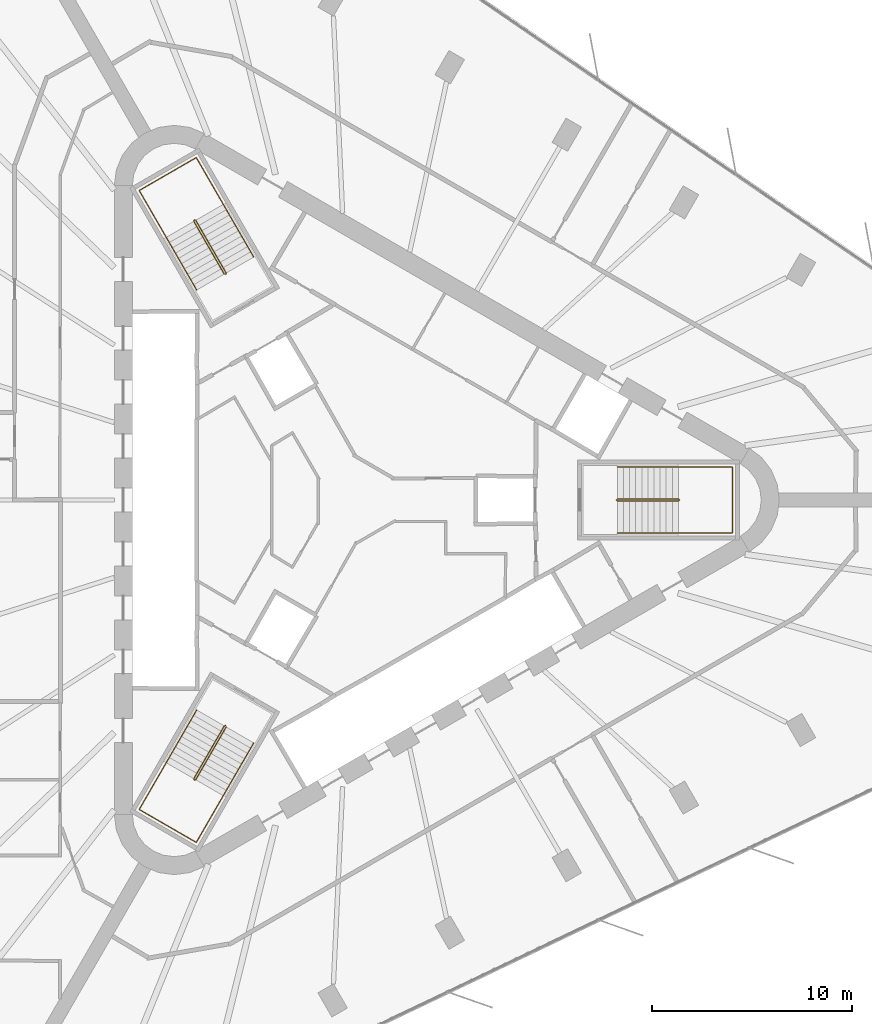
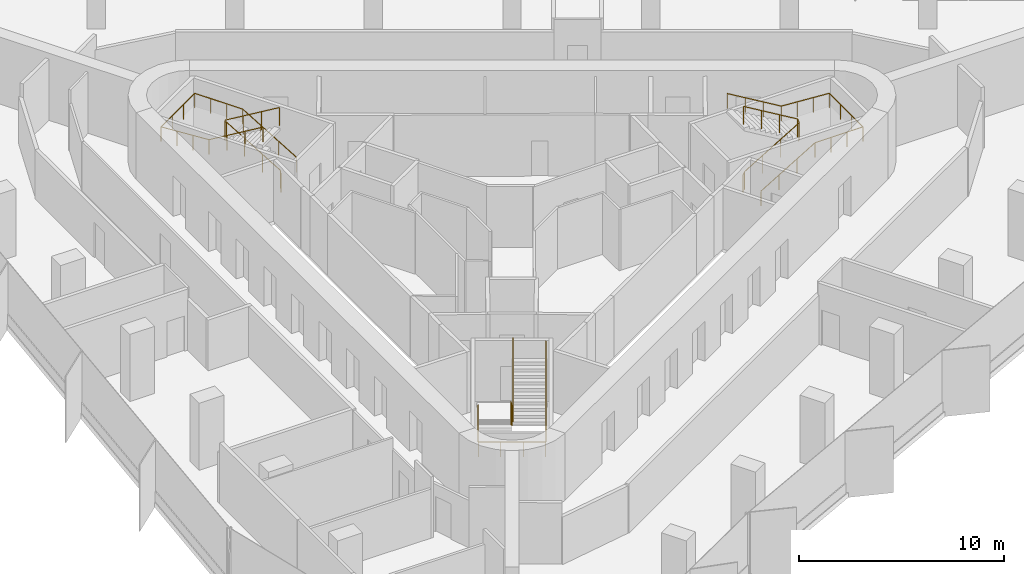
# One storey, part 13 of 13: 6 railings.
"""IFC4 building model written with IfcOpenShell, lengths in metres."""

from ifc_helpers import new_model, si_unit, direction, frame, origin, origin_2d, place, context, subcontext, project, spatial, circle, extrude, material, type_object, element, save


model = new_model("IFC4")

# Units and contexts
model_context = context("Model", 3, precision=1e-05, world=origin(), true_north=direction((0.0, 1.0)))
body_context = subcontext(model_context, "Body", "Model", "MODEL_VIEW")
ifc_project = project(units=[si_unit("LENGTHUNIT", "METRE"), si_unit("AREAUNIT", "SQUARE_METRE"), si_unit("VOLUMEUNIT", "CUBIC_METRE"), si_unit("PLANEANGLEUNIT", "RADIAN"), si_unit("MASSUNIT", "GRAM", prefix="KILO")], contexts=[model_context])

# Site, building, storey
site_placement = place(None, origin())
site = spatial("IfcSite", under=ifc_project, at=site_placement, CompositionType="ELEMENT")
building_placement = place(site_placement, origin())
building = spatial("IfcBuilding", under=site, at=building_placement, Name="Tanit Gate Tower", CompositionType="ELEMENT")
storey_placement = place(building_placement, frame((0.0, 0.0, 273.199951171875)))
storey = spatial("IfcBuildingStorey", under=building, at=storey_placement, Name="L62", CompositionType="ELEMENT", Elevation=273.199951171875)

# Railings
ifc_material_1 = material(Name="Stainless steel balustrade", Category="steel")
railing_type_1 = type_object("IfcRailingType", Name="INT-STAIR-GUARD", PredefinedType="GUARDRAIL", material=ifc_material_1)
railing_1_placement = place(storey_placement, frame((13.044921875, 0.0048828125, 0.0)))
element("IfcRailing", 1, at=railing_1_placement, inside=storey, type_object=railing_type_1, Name="L62 S1 stair guard 1", PredefinedType="GUARDRAIL", context=body_context, shape_type="SweptSolid", body=[
    extrude(circle(Radius=0.02392578125, at=origin_2d()), frame((0.0, 0.0, 1.076171875), z_axis=(0.0, -1.0, 0.0), x_axis=(1.0, 0.0, 0.0)), (0.0, 0.0, 1.0), 0.009765625),
    extrude(circle(Radius=0.02392578125, at=origin_2d()), frame((0.0, -0.009765625, 1.076171875), z_axis=(0.256435381639, -0.256435381639, 0.931923704005), x_axis=(0.707106781187, 0.707106781187, 0.0)), (0.0, 0.0, 1.0), 0.195068359375),
    extrude(circle(Radius=0.02392578125, at=origin_2d()), frame((0.050048828125, -0.059814453125, 1.2578125), z_axis=(0.859041732319, 0.0, 0.511905559781), x_axis=(0.0, 1.0, 0.0)), (0.0, 0.0, 1.0), 3.5517578125),
    extrude(circle(Radius=0.02392578125, at=origin_2d()), frame((3.10107421875, -0.059814453125, 3.076171875), z_axis=(0.707106781187, 0.707106781187, 0.0), x_axis=(-0.707106781187, 0.707106781187, 0.0)), (0.0, 0.0, 1.0), 0.07080078125),
    extrude(circle(Radius=0.02392578125, at=origin_2d()), frame((3.151123046875, -0.009765625, 3.076171875), z_axis=(0.0, 1.0, 0.0), x_axis=(-1.0, 0.0, 0.0)), (0.0, 0.0, 1.0), 0.009765625),
    extrude(circle(Radius=0.02392578125, at=origin_2d()), frame((3.151123046875, 0.0, 3.076171875), z_axis=(-0.256435381639, 0.256435381639, 0.931923704005), x_axis=(-0.707106781187, -0.707106781187, 0.0)), (0.0, 0.0, 1.0), 0.195068359375),
    extrude(circle(Radius=0.02392578125, at=origin_2d()), frame((3.10107421875, 0.050048828125, 3.2578125), z_axis=(-0.859041732319, 0.0, 0.511905559781), x_axis=(0.0, -1.0, 0.0)), (0.0, 0.0, 1.0), 3.5517578125),
    extrude(circle(Radius=0.02099609375, at=origin_2d()), origin(), (0.0, 0.0, 1.0), 1.052001953125),
    extrude(circle(Radius=0.02099609375, at=origin_2d()), frame((0.0, -0.009765625, 0.0)), (0.0, 0.0, 1.0), 1.052001953125),
    extrude(circle(Radius=0.02099609375, at=origin_2d()), frame((0.050048828125, -0.059814453125, 0.181884765625)), (0.0, 0.0, 1.0), 1.052001953125),
    extrude(circle(Radius=0.02099609375, at=origin_2d()), frame((1.067138671875, -0.059814453125, 0.787841796875)), (0.0, 0.0, 1.0), 1.052001953125),
    extrude(circle(Radius=0.02099609375, at=origin_2d()), frame((2.083984375, -0.059814453125, 1.39404296875)), (0.0, 0.0, 1.0), 1.052001953125),
    extrude(circle(Radius=0.02099609375, at=origin_2d()), frame((3.10107421875, -0.059814453125, 2.0)), (0.0, 0.0, 1.0), 1.052001953125),
    extrude(circle(Radius=0.02099609375, at=origin_2d()), frame((3.151123046875, -0.009765625, 2.0)), (0.0, 0.0, 1.0), 1.052001953125),
    extrude(circle(Radius=0.02099609375, at=origin_2d()), frame((3.151123046875, 0.0, 2.0)), (0.0, 0.0, 1.0), 1.052001953125),
    extrude(circle(Radius=0.02099609375, at=origin_2d()), frame((3.10107421875, 0.050048828125, 2.181884765625)), (0.0, 0.0, 1.0), 1.052001953125),
    extrude(circle(Radius=0.02099609375, at=origin_2d()), frame((2.083984375, 0.050048828125, 2.787841796875)), (0.0, 0.0, 1.0), 1.052001953125),
    extrude(circle(Radius=0.02099609375, at=origin_2d()), frame((1.067138671875, 0.050048828125, 3.39404296875)), (0.0, 0.0, 1.0), 1.052001953125),
    extrude(circle(Radius=0.02099609375, at=origin_2d()), frame((0.050048828125, 0.050048828125, 4.0)), (0.0, 0.0, 1.0), 1.052001953125),
])
railing_2_placement = place(storey_placement, frame((-6.527099609375, 11.29345703125, 0.0)))
element("IfcRailing", 2, at=railing_2_placement, inside=storey, type_object=railing_type_1, Name="L62 S2 stair guard 1", PredefinedType="GUARDRAIL", context=body_context, shape_type="SweptSolid", body=[
    extrude(circle(Radius=0.02392578125, at=origin_2d()), frame((0.0, 0.0, 1.076171875), z_axis=(0.868243142124, 0.496138938357, 0.0), x_axis=(-0.496138938357, 0.868243142124, 0.0)), (0.0, 0.0, 1.0), 0.01171875),
    extrude(circle(Radius=0.02392578125, at=origin_2d()), frame((0.01025390625, 0.005859375, 1.076171875), z_axis=(0.093819657636, 0.350260055175, 0.93194193252), x_axis=(-0.965948051503, 0.258736085224, 0.0)), (0.0, 0.0, 1.0), 0.195068359375),
    extrude(circle(Radius=0.02392578125, at=origin_2d()), frame((0.028564453125, 0.07421875, 1.2578125), z_axis=(-0.429472220917, 0.743822504634, 0.512134448226), x_axis=(-0.866012246495, -0.500022788402, 0.0)), (0.0, 0.0, 1.0), 3.550048828125),
    extrude(circle(Radius=0.02392578125, at=origin_2d()), frame((-1.49609375, 2.71484375, 3.076171875), z_axis=(-0.965715946433, 0.259601060869, 0.0), x_axis=(-0.259601060869, -0.965715946433, 0.0)), (0.0, 0.0, 1.0), 0.070556640625),
    extrude(circle(Radius=0.02392578125, at=origin_2d()), frame((-1.564208984375, 2.733154296875, 3.076171875), z_axis=(-0.873197702015, -0.487366159264, 0.0), x_axis=(0.487366159264, -0.873197702015, 0.0)), (0.0, 0.0, 1.0), 0.011962890625),
    extrude(circle(Radius=0.02392578125, at=origin_2d()), frame((-1.57470703125, 2.727294921875, 3.076171875), z_axis=(-0.093819657636, -0.350260055175, 0.93194193252), x_axis=(0.965948051503, -0.258736085224, 0.0)), (0.0, 0.0, 1.0), 0.195068359375),
    extrude(circle(Radius=0.02392578125, at=origin_2d()), frame((-1.593017578125, 2.658935546875, 3.2578125), z_axis=(0.429472220917, -0.743822504634, 0.512134448226), x_axis=(0.866012246495, 0.500022788402, 0.0)), (0.0, 0.0, 1.0), 3.550048828125),
    extrude(circle(Radius=0.02099609375, at=origin_2d()), origin(), (0.0, 0.0, 1.0), 1.052001953125),
    extrude(circle(Radius=0.02099609375, at=origin_2d()), frame((0.01025390625, 0.005859375, 0.0)), (0.0, 0.0, 1.0), 1.052001953125),
    extrude(circle(Radius=0.02099609375, at=origin_2d()), frame((0.028564453125, 0.07421875, 0.181884765625)), (0.0, 0.0, 1.0), 1.052001953125),
    extrude(circle(Radius=0.02099609375, at=origin_2d()), frame((-0.479736328125, 0.954345703125, 0.787841796875)), (0.0, 0.0, 1.0), 1.052001953125),
    extrude(circle(Radius=0.02099609375, at=origin_2d()), frame((-0.98779296875, 1.834716796875, 1.39404296875)), (0.0, 0.0, 1.0), 1.052001953125),
    extrude(circle(Radius=0.02099609375, at=origin_2d()), frame((-1.49609375, 2.71484375, 2.0)), (0.0, 0.0, 1.0), 1.052001953125),
    extrude(circle(Radius=0.02099609375, at=origin_2d()), frame((-1.564208984375, 2.733154296875, 2.0)), (0.0, 0.0, 1.0), 1.052001953125),
    extrude(circle(Radius=0.02099609375, at=origin_2d()), frame((-1.57470703125, 2.727294921875, 2.0)), (0.0, 0.0, 1.0), 1.052001953125),
    extrude(circle(Radius=0.02099609375, at=origin_2d()), frame((-1.593017578125, 2.658935546875, 2.181884765625)), (0.0, 0.0, 1.0), 1.052001953125),
    extrude(circle(Radius=0.02099609375, at=origin_2d()), frame((-1.084716796875, 1.77880859375, 2.787841796875)), (0.0, 0.0, 1.0), 1.052001953125),
    extrude(circle(Radius=0.02099609375, at=origin_2d()), frame((-0.57666015625, 0.8984375, 3.39404296875)), (0.0, 0.0, 1.0), 1.052001953125),
    extrude(circle(Radius=0.02099609375, at=origin_2d()), frame((-0.068359375, 0.018310546875, 4.0)), (0.0, 0.0, 1.0), 1.052001953125),
])
railing_3_placement = place(storey_placement, frame((-6.51806640625, -11.2998046875, 0.0)))
element("IfcRailing", 3, at=railing_3_placement, inside=storey, type_object=railing_type_1, Name="L62 S3 stair guard 1", PredefinedType="GUARDRAIL", context=body_context, shape_type="SweptSolid", body=[
    extrude(circle(Radius=0.02392578125, at=origin_2d()), frame((0.0, 0.0, 1.076171875), z_axis=(-0.874157276122, 0.485642931179, 0.0), x_axis=(-0.485642931179, -0.874157276122, 0.0)), (0.0, 0.0, 1.0), 0.010009765625),
    extrude(circle(Radius=0.02392578125, at=origin_2d()), frame((-0.0087890625, 0.0048828125, 1.076171875), z_axis=(-0.350300895388, -0.092579522353, 0.932050596658), x_axis=(0.255512919477, -0.966805641264, 0.0)), (0.0, 0.0, 1.0), 0.195068359375),
    extrude(circle(Radius=0.02392578125, at=origin_2d()), frame((-0.0771484375, -0.01318359375, 1.2578125), z_axis=(-0.429486674828, -0.743971555965, 0.511905772639), x_axis=(0.866048339477, -0.499960272111, 0.0)), (0.0, 0.0, 1.0), 3.5517578125),
    extrude(circle(Radius=0.02392578125, at=origin_2d()), frame((-1.6025390625, -2.655517578125, 3.076171875), z_axis=(0.258736085224, -0.965948051503, 0.0), x_axis=(0.965948051503, 0.258736085224, 0.0)), (0.0, 0.0, 1.0), 0.07080078125),
    extrude(circle(Radius=0.02392578125, at=origin_2d()), frame((-1.584228515625, -2.723876953125, 3.076171875), z_axis=(0.868243142124, -0.496138938357, 0.0), x_axis=(0.496138938357, 0.868243142124, 0.0)), (0.0, 0.0, 1.0), 0.009765625),
    extrude(circle(Radius=0.02392578125, at=origin_2d()), frame((-1.57568359375, -2.728759765625, 3.076171875), z_axis=(0.350260055175, 0.093819657636, 0.93194193252), x_axis=(-0.258736085224, 0.965948051503, 0.0)), (0.0, 0.0, 1.0), 0.195068359375),
    extrude(circle(Radius=0.02392578125, at=origin_2d()), frame((-1.50732421875, -2.71044921875, 3.2578125), z_axis=(0.429564698942, 0.743918894535, 0.511916836777), x_axis=(-0.865993683553, 0.500054937028, 0.0)), (0.0, 0.0, 1.0), 3.551513671875),
    extrude(circle(Radius=0.02099609375, at=origin_2d()), origin(), (0.0, 0.0, 1.0), 1.052001953125),
    extrude(circle(Radius=0.02099609375, at=origin_2d()), frame((-0.0087890625, 0.0048828125, 0.0)), (0.0, 0.0, 1.0), 1.052001953125),
    extrude(circle(Radius=0.02099609375, at=origin_2d()), frame((-0.0771484375, -0.01318359375, 0.181884765625)), (0.0, 0.0, 1.0), 1.052001953125),
    extrude(circle(Radius=0.02099609375, at=origin_2d()), frame((-0.585693359375, -0.89404296875, 0.787841796875)), (0.0, 0.0, 1.0), 1.052001953125),
    extrude(circle(Radius=0.02099609375, at=origin_2d()), frame((-1.093994140625, -1.774658203125, 1.39404296875)), (0.0, 0.0, 1.0), 1.052001953125),
    extrude(circle(Radius=0.02099609375, at=origin_2d()), frame((-1.6025390625, -2.655517578125, 2.0)), (0.0, 0.0, 1.0), 1.052001953125),
    extrude(circle(Radius=0.02099609375, at=origin_2d()), frame((-1.584228515625, -2.723876953125, 2.0)), (0.0, 0.0, 1.0), 1.052001953125),
    extrude(circle(Radius=0.02099609375, at=origin_2d()), frame((-1.57568359375, -2.728759765625, 2.0)), (0.0, 0.0, 1.0), 1.052001953125),
    extrude(circle(Radius=0.02099609375, at=origin_2d()), frame((-1.50732421875, -2.71044921875, 2.181884765625)), (0.0, 0.0, 1.0), 1.052001953125),
    extrude(circle(Radius=0.02099609375, at=origin_2d()), frame((-0.998779296875, -1.829833984375, 2.787841796875)), (0.0, 0.0, 1.0), 1.052001953125),
    extrude(circle(Radius=0.02099609375, at=origin_2d()), frame((-0.490234375, -0.948974609375, 3.39404296875)), (0.0, 0.0, 1.0), 1.052001953125),
    extrude(circle(Radius=0.02099609375, at=origin_2d()), frame((0.018310546875, -0.068359375, 4.0)), (0.0, 0.0, 1.0), 1.052001953125),
])
ifc_material_2 = material(Name="Stainless steel handrail", Category="steel")
railing_type_2 = type_object("IfcRailingType", Name="INT-STAIR-HANDRAIL", PredefinedType="HANDRAIL", material=ifc_material_2)
railing_4_placement = place(storey_placement, frame((13.094970703125, -1.64990234375, 0.181884765625)))
element("IfcRailing", 4, at=railing_4_placement, inside=storey, type_object=railing_type_2, Name="L62 S1 stair handrail 1", PredefinedType="HANDRAIL", context=body_context, shape_type="SweptSolid", body=[
    extrude(circle(Radius=0.02392578125, at=origin_2d()), frame((0.0, 0.0, 0.8759765625), z_axis=(0.859041732319, 0.0, 0.511905559781), x_axis=(0.0, 1.0, 0.0)), (0.0, 0.0, 1.0), 3.5517578125),
    extrude(circle(Radius=0.02392578125, at=origin_2d()), frame((3.051025390625, 0.0, 2.69384765625), z_axis=(1.0, 0.0, 0.0), x_axis=(0.0, 1.0, 0.0)), (0.0, 0.0, 1.0), 2.7041015625),
    extrude(circle(Radius=0.02392578125, at=origin_2d()), frame((5.755126953125, 0.0, 2.69384765625), z_axis=(0.0, 1.0, 0.0), x_axis=(-1.0, 0.0, 0.0)), (0.0, 0.0, 1.0), 3.2998046875),
    extrude(circle(Radius=0.02392578125, at=origin_2d()), frame((5.755126953125, 3.2998046875, 2.69384765625), z_axis=(-0.997745521698, 0.0, 0.067110907698), x_axis=(0.0, -1.0, 0.0)), (0.0, 0.0, 1.0), 2.710205078125),
    extrude(circle(Radius=0.02392578125, at=origin_2d()), frame((3.051025390625, 3.2998046875, 2.8759765625), z_axis=(-0.859041732319, 0.0, 0.511905559781), x_axis=(0.0, -1.0, 0.0)), (0.0, 0.0, 1.0), 3.5517578125),
    extrude(circle(Radius=0.02099609375, at=origin_2d()), origin(), (0.0, 0.0, 1.0), 0.851806640625),
    extrude(circle(Radius=0.02099609375, at=origin_2d()), frame((1.01708984375, 0.0, 0.60595703125)), (0.0, 0.0, 1.0), 0.851806640625),
    extrude(circle(Radius=0.02099609375, at=origin_2d()), frame((2.033935546875, 0.0, 1.212158203125)), (0.0, 0.0, 1.0), 0.851806640625),
    extrude(circle(Radius=0.02099609375, at=origin_2d()), frame((3.051025390625, 0.0, 1.818115234375)), (0.0, 0.0, 1.0), 0.851806640625),
    extrude(circle(Radius=0.02099609375, at=origin_2d()), frame((3.952392578125, 0.0, 1.818115234375)), (0.0, 0.0, 1.0), 0.851806640625),
    extrude(circle(Radius=0.02099609375, at=origin_2d()), frame((4.853759765625, 0.0, 1.818115234375)), (0.0, 0.0, 1.0), 0.851806640625),
    extrude(circle(Radius=0.02099609375, at=origin_2d()), frame((5.755126953125, 0.0, 1.818115234375)), (0.0, 0.0, 1.0), 0.851806640625),
    extrude(circle(Radius=0.02099609375, at=origin_2d()), frame((5.755126953125, 1.099853515625, 1.818115234375)), (0.0, 0.0, 1.0), 0.851806640625),
    extrude(circle(Radius=0.02099609375, at=origin_2d()), frame((5.755126953125, 2.199951171875, 1.818115234375)), (0.0, 0.0, 1.0), 0.851806640625),
    extrude(circle(Radius=0.02099609375, at=origin_2d()), frame((5.755126953125, 3.2998046875, 1.818115234375)), (0.0, 0.0, 1.0), 0.851806640625),
    extrude(circle(Radius=0.02099609375, at=origin_2d()), frame((4.853759765625, 3.2998046875, 1.878662109375)), (0.0, 0.0, 1.0), 0.851806640625),
    extrude(circle(Radius=0.02099609375, at=origin_2d()), frame((3.952392578125, 3.2998046875, 1.939453125)), (0.0, 0.0, 1.0), 0.851806640625),
    extrude(circle(Radius=0.02099609375, at=origin_2d()), frame((3.051025390625, 3.2998046875, 2.0)), (0.0, 0.0, 1.0), 0.851806640625),
    extrude(circle(Radius=0.02099609375, at=origin_2d()), frame((2.033935546875, 3.2998046875, 2.60595703125)), (0.0, 0.0, 1.0), 0.851806640625),
    extrude(circle(Radius=0.02099609375, at=origin_2d()), frame((1.01708984375, 3.2998046875, 3.212158203125)), (0.0, 0.0, 1.0), 0.851806640625),
    extrude(circle(Radius=0.02099609375, at=origin_2d()), frame((0.0, 3.2998046875, 3.818115234375)), (0.0, 0.0, 1.0), 0.851806640625),
])
railing_5_placement = place(storey_placement, frame((-5.1181640625, 12.164794921875, 0.181884765625)))
element("IfcRailing", 5, at=railing_5_placement, inside=storey, type_object=railing_type_2, Name="L62 S2 stair handrail 1", PredefinedType="HANDRAIL", context=body_context, shape_type="SweptSolid", body=[
    extrude(circle(Radius=0.02392578125, at=origin_2d()), frame((0.0, 0.0, 0.8759765625), z_axis=(-0.429416132344, 0.743844472684, 0.512149573602), x_axis=(-0.866046917185, -0.499962735845, 0.0)), (0.0, 0.0, 1.0), 3.550048828125),
    extrude(circle(Radius=0.02392578125, at=origin_2d()), frame((-1.5244140625, 2.640625, 2.69384765625), z_axis=(-0.500019123664, 0.86601436245, 0.0), x_axis=(-0.86601436245, -0.500019123664, 0.0)), (0.0, 0.0, 1.0), 2.70703125),
    extrude(circle(Radius=0.02392578125, at=origin_2d()), frame((-2.8779296875, 4.98486328125, 2.69384765625), z_axis=(-0.866008176907, -0.50002983664, 0.0), x_axis=(0.50002983664, -0.866008176907, 0.0)), (0.0, 0.0, 1.0), 3.300048828125),
    extrude(circle(Radius=0.02392578125, at=origin_2d()), frame((-5.73583984375, 3.334716796875, 2.69384765625), z_axis=(0.498932980467, -0.864043208057, 0.067046369128), x_axis=(0.865991810323, 0.500058181068, 0.0)), (0.0, 0.0, 1.0), 2.712890625),
    extrude(circle(Radius=0.02392578125, at=origin_2d()), frame((-4.38232421875, 0.99072265625, 2.8759765625), z_axis=(0.429450252752, -0.743853224023, 0.512108251761), x_axis=(0.866032263162, 0.499988119021, 0.0)), (0.0, 0.0, 1.0), 3.55029296875),
    extrude(circle(Radius=0.02099609375, at=origin_2d()), origin(), (0.0, 0.0, 1.0), 0.851806640625),
    extrude(circle(Radius=0.02099609375, at=origin_2d()), frame((-0.508056640625, 0.880126953125, 0.60595703125)), (0.0, 0.0, 1.0), 0.851806640625),
    extrude(circle(Radius=0.02099609375, at=origin_2d()), frame((-1.016357421875, 1.760498046875, 1.212158203125)), (0.0, 0.0, 1.0), 0.851806640625),
    extrude(circle(Radius=0.02099609375, at=origin_2d()), frame((-1.5244140625, 2.640625, 1.818115234375)), (0.0, 0.0, 1.0), 0.851806640625),
    extrude(circle(Radius=0.02099609375, at=origin_2d()), frame((-1.9755859375, 3.422119140625, 1.818115234375)), (0.0, 0.0, 1.0), 0.851806640625),
    extrude(circle(Radius=0.02099609375, at=origin_2d()), frame((-2.4267578125, 4.203369140625, 1.818115234375)), (0.0, 0.0, 1.0), 0.851806640625),
    extrude(circle(Radius=0.02099609375, at=origin_2d()), frame((-2.8779296875, 4.98486328125, 1.818115234375)), (0.0, 0.0, 1.0), 0.851806640625),
    extrude(circle(Radius=0.02099609375, at=origin_2d()), frame((-3.83056640625, 4.434814453125, 1.818115234375)), (0.0, 0.0, 1.0), 0.851806640625),
    extrude(circle(Radius=0.02099609375, at=origin_2d()), frame((-4.783203125, 3.884765625, 1.818115234375)), (0.0, 0.0, 1.0), 0.851806640625),
    extrude(circle(Radius=0.02099609375, at=origin_2d()), frame((-5.73583984375, 3.334716796875, 1.818115234375)), (0.0, 0.0, 1.0), 0.851806640625),
    extrude(circle(Radius=0.02099609375, at=origin_2d()), frame((-5.28466796875, 2.553466796875, 1.878662109375)), (0.0, 0.0, 1.0), 0.851806640625),
    extrude(circle(Radius=0.02099609375, at=origin_2d()), frame((-4.83349609375, 1.77197265625, 1.939453125)), (0.0, 0.0, 1.0), 0.851806640625),
    extrude(circle(Radius=0.02099609375, at=origin_2d()), frame((-4.38232421875, 0.99072265625, 2.0)), (0.0, 0.0, 1.0), 0.851806640625),
    extrude(circle(Radius=0.02099609375, at=origin_2d()), frame((-3.8740234375, 0.1103515625, 2.60595703125)), (0.0, 0.0, 1.0), 0.851806640625),
    extrude(circle(Radius=0.02099609375, at=origin_2d()), frame((-3.365966796875, -0.769775390625, 3.212158203125)), (0.0, 0.0, 1.0), 0.851806640625),
    extrude(circle(Radius=0.02099609375, at=origin_2d()), frame((-2.857666015625, -1.650146484375, 3.818115234375)), (0.0, 0.0, 1.0), 0.851806640625),
])
railing_6_placement = place(storey_placement, frame((-7.9765625, -10.515625, 0.181884765625)))
element("IfcRailing", 6, at=railing_6_placement, inside=storey, type_object=railing_type_2, Name="L62 S3 stair handrail 1", PredefinedType="HANDRAIL", context=body_context, shape_type="SweptSolid", body=[
    extrude(circle(Radius=0.02392578125, at=origin_2d()), frame((0.0, 0.0, 0.8759765625), z_axis=(-0.429486674828, -0.743971555965, 0.511905772639), x_axis=(0.866048339477, -0.499960272111, 0.0)), (0.0, 0.0, 1.0), 3.5517578125),
    extrude(circle(Radius=0.02392578125, at=origin_2d()), frame((-1.525390625, -2.642333984375, 2.69384765625), z_axis=(-0.50004290449, -0.866000631449, 0.0), x_axis=(0.866000631449, -0.50004290449, 0.0)), (0.0, 0.0, 1.0), 2.703857421875),
    extrude(circle(Radius=0.02392578125, at=origin_2d()), frame((-2.87744140625, -4.98388671875, 2.69384765625), z_axis=(0.866008176907, -0.50002983664, 0.0), x_axis=(0.50002983664, 0.866008176907, 0.0)), (0.0, 0.0, 1.0), 3.300048828125),
    extrude(circle(Radius=0.02392578125, at=origin_2d()), frame((-0.01953125, -6.634033203125, 2.69384765625), z_axis=(0.498876541924, 0.864070745781, 0.067111416348), x_axis=(-0.866023205937, 0.500003806764, 0.0)), (0.0, 0.0, 1.0), 2.710205078125),
    extrude(circle(Radius=0.02392578125, at=origin_2d()), frame((1.33251953125, -4.292236328125, 2.8759765625), z_axis=(0.429486674828, 0.743971555965, 0.511905772639), x_axis=(-0.866048339477, 0.499960272111, 0.0)), (0.0, 0.0, 1.0), 3.5517578125),
    extrude(circle(Radius=0.02099609375, at=origin_2d()), origin(), (0.0, 0.0, 1.0), 0.851806640625),
    extrude(circle(Radius=0.02099609375, at=origin_2d()), frame((-0.508544921875, -0.880859375, 0.60595703125)), (0.0, 0.0, 1.0), 0.851806640625),
    extrude(circle(Radius=0.02099609375, at=origin_2d()), frame((-1.016845703125, -1.761474609375, 1.212158203125)), (0.0, 0.0, 1.0), 0.851806640625),
    extrude(circle(Radius=0.02099609375, at=origin_2d()), frame((-1.525390625, -2.642333984375, 1.818115234375)), (0.0, 0.0, 1.0), 0.851806640625),
    extrude(circle(Radius=0.02099609375, at=origin_2d()), frame((-1.97607421875, -3.4228515625, 1.818115234375)), (0.0, 0.0, 1.0), 0.851806640625),
    extrude(circle(Radius=0.02099609375, at=origin_2d()), frame((-2.4267578125, -4.203369140625, 1.818115234375)), (0.0, 0.0, 1.0), 0.851806640625),
    extrude(circle(Radius=0.02099609375, at=origin_2d()), frame((-2.87744140625, -4.98388671875, 1.818115234375)), (0.0, 0.0, 1.0), 0.851806640625),
    extrude(circle(Radius=0.02099609375, at=origin_2d()), frame((-1.9248046875, -5.533935546875, 1.818115234375)), (0.0, 0.0, 1.0), 0.851806640625),
    extrude(circle(Radius=0.02099609375, at=origin_2d()), frame((-0.97216796875, -6.083984375, 1.818115234375)), (0.0, 0.0, 1.0), 0.851806640625),
    extrude(circle(Radius=0.02099609375, at=origin_2d()), frame((-0.01953125, -6.634033203125, 1.818115234375)), (0.0, 0.0, 1.0), 0.851806640625),
    extrude(circle(Radius=0.02099609375, at=origin_2d()), frame((0.43115234375, -5.853515625, 1.878662109375)), (0.0, 0.0, 1.0), 0.851806640625),
    extrude(circle(Radius=0.02099609375, at=origin_2d()), frame((0.8818359375, -5.07275390625, 1.939453125)), (0.0, 0.0, 1.0), 0.851806640625),
    extrude(circle(Radius=0.02099609375, at=origin_2d()), frame((1.33251953125, -4.292236328125, 2.0)), (0.0, 0.0, 1.0), 0.851806640625),
    extrude(circle(Radius=0.02099609375, at=origin_2d()), frame((1.841064453125, -3.411376953125, 2.60595703125)), (0.0, 0.0, 1.0), 0.851806640625),
    extrude(circle(Radius=0.02099609375, at=origin_2d()), frame((2.349365234375, -2.53076171875, 3.212158203125)), (0.0, 0.0, 1.0), 0.851806640625),
    extrude(circle(Radius=0.02099609375, at=origin_2d()), frame((2.85791015625, -1.64990234375, 3.818115234375)), (0.0, 0.0, 1.0), 0.851806640625),
])

save(model, "model.ifc")
